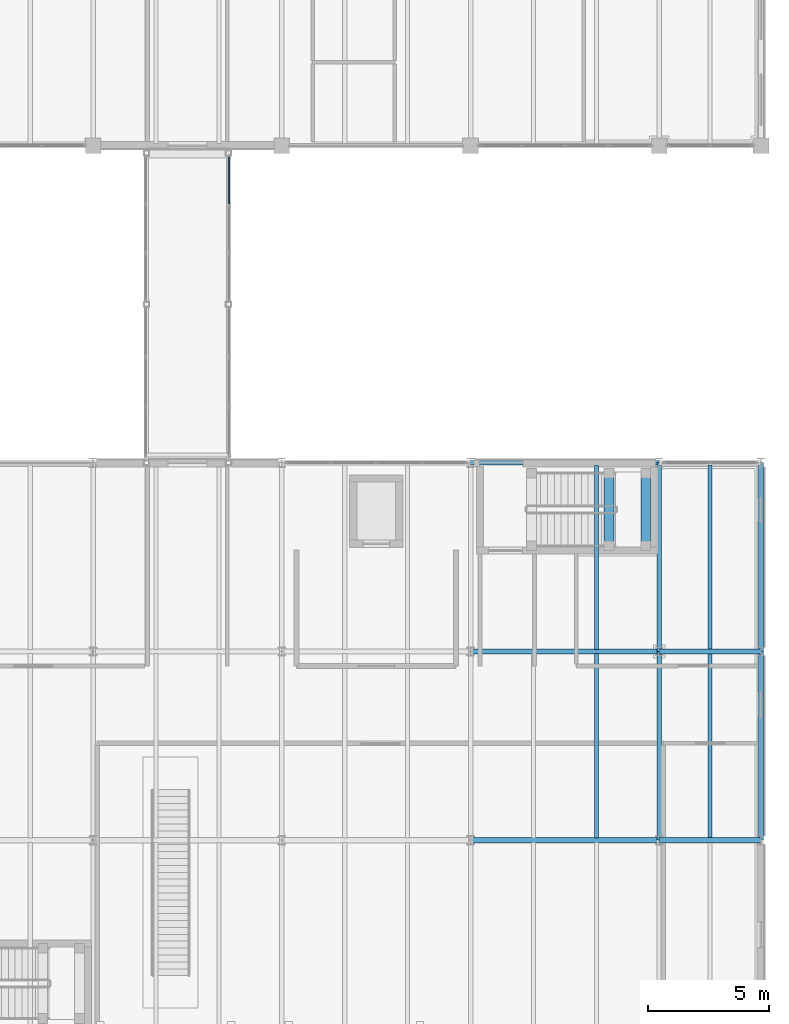
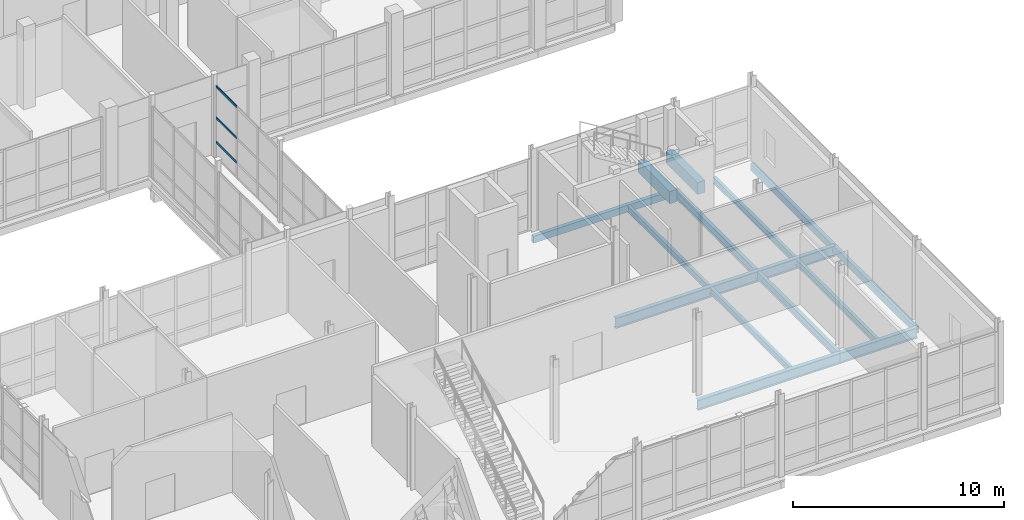
# One storey, part 65 of 131: 15 beams, 3 members, 1 element without a shape of its own.
"""IFC4 building model written with IfcOpenShell, lengths in metres."""

import ifcopenshell
import ifcopenshell.guid

model = None  # the IFC model being written
_history = None  # IfcOwnerHistory: only IFC2X3 demands one
_inside = {}  # id of a spatial element -> (the spatial element, [elements in it])
_under = {}  # id of a project, library or spatial element -> (it, [spatial elements below it])
_declared = {}  # id of a project -> (the project, [libraries it declares])
_typed = {}  # id of a type object -> (the type object, [elements of that type])
_made_of = {}  # id of a material, layer set ... -> (it, [elements and type objects made of it])


def new_model(schema):
    """Start an empty IFC model of exactly this schema.

    Asked for "IFC4X3", IfcOpenShell would pick the latest addendum, in which some entities
    have other attributes; the version numbers below select the first issue.
    IFC2X3 requires an IfcOwnerHistory on every rooted entity: one is made here for all.
    """
    global model, _history
    if schema == "IFC4X3":
        model = ifcopenshell.file(schema_version=(4, 3, 0, 0))
    else:
        model = ifcopenshell.file(schema=schema)
    _inside.clear()
    _under.clear()
    _declared.clear()
    _typed.clear()
    _made_of.clear()
    _history = None
    if model.schema == "IFC2X3":
        org = make("IfcOrganization", Name="unknown")
        user = make(
            "IfcPersonAndOrganization",
            ThePerson=make("IfcPerson", FamilyName="unknown"),
            TheOrganization=org,
        )
        app = make(
            "IfcApplication",
            ApplicationDeveloper=org,
            Version="unknown",
            ApplicationFullName="unknown",
            ApplicationIdentifier="unknown",
        )
        _history = make(
            "IfcOwnerHistory",
            OwningUser=user,
            OwningApplication=app,
            ChangeAction="ADDED",
            CreationDate=0,
        )
    return model


def make(cls, **values):
    """One entity of the class cls with the attributes given. An attribute that is None is left unset."""
    return model.create_entity(
        cls, **{name: value for name, value in values.items() if value is not None}
    )


def rooted(cls, **values):
    """An entity with a GlobalId (a new one), such as an element, a storey or a relation."""
    return make(cls, GlobalId=ifcopenshell.guid.new(), OwnerHistory=_history, **values)


def si_unit(unit_type, name, prefix=None):
    """IfcSIUnit, for example si_unit("LENGTHUNIT", "METRE", prefix="MILLI")."""
    return make("IfcSIUnit", UnitType=unit_type, Prefix=prefix, Name=name)


def assignment(units):
    """IfcUnitAssignment: the units of a project."""
    return None if units is None else make("IfcUnitAssignment", Units=units)


def point(xyz):
    """IfcCartesianPoint."""
    return None if xyz is None else make("IfcCartesianPoint", Coordinates=xyz)


def direction(xyz):
    """IfcDirection."""
    return None if xyz is None else make("IfcDirection", DirectionRatios=xyz)


def frame(location, z_axis=None, x_axis=None):
    """IfcAxis2Placement3D, a coordinate frame: its origin and axes. An axis left out is left unset."""
    return make(
        "IfcAxis2Placement3D",
        Location=point(location),
        Axis=direction(z_axis),
        RefDirection=direction(x_axis),
    )


def frame_2d(location, x_axis=None):
    """IfcAxis2Placement2D, a coordinate frame in the plane: its origin and x axis."""
    return make(
        "IfcAxis2Placement2D", Location=point(location), RefDirection=direction(x_axis)
    )


def origin():
    """The frame at (0, 0, 0) with its axes left unset."""
    return frame((0.0, 0.0, 0.0))


def origin_2d():
    """The frame at (0, 0) in the plane with its x axis left unset."""
    return frame_2d((0.0, 0.0))


def place(relative_to, where):
    """IfcLocalPlacement: puts the frame where relative to a parent placement (None: the world)."""
    return make(
        "IfcLocalPlacement", PlacementRelTo=relative_to, RelativePlacement=where
    )


def context(
    kind, dimensions, precision=None, world=None, true_north=None, identifier=None
):
    """IfcGeometricRepresentationContext, for example the 3D "Model" context."""
    return make(
        "IfcGeometricRepresentationContext",
        ContextIdentifier=identifier,
        ContextType=kind,
        CoordinateSpaceDimension=dimensions,
        Precision=precision,
        WorldCoordinateSystem=world,
        TrueNorth=true_north,
    )


def subcontext(parent, identifier, kind, view, scale=None):
    """IfcGeometricRepresentationSubContext, for example "Body" below "Model"."""
    return make(
        "IfcGeometricRepresentationSubContext",
        ContextIdentifier=identifier,
        ContextType=kind,
        ParentContext=parent,
        TargetScale=scale,
        TargetView=view,
    )


def project(units=None, contexts=None):
    """IfcProject with its units and contexts."""
    return rooted(
        "IfcProject",
        Name="project",
        RepresentationContexts=contexts,
        UnitsInContext=assignment(units),
    )


def spatial(cls, under=None, at=None, **own):
    """A site, building, storey or space (cls), placed at a placement, below another one or the project."""
    s = rooted(cls, ObjectPlacement=at, **own)
    if under is not None:
        _under.setdefault(under.id(), (under, []))[1].append(s)
    return s


def profile(cls, at=None, kind="AREA", **sizes):
    """A parametric profile (cls). Its sizes go by their IFC names, for example OverallWidth=200.0."""
    return make(cls, ProfileType=kind, Position=at, **sizes)


def rectangle(**sizes):
    """IfcRectangleProfileDef."""
    return profile("IfcRectangleProfileDef", **sizes)


def hollow_rectangle(**sizes):
    """IfcRectangleHollowProfileDef."""
    return profile("IfcRectangleHollowProfileDef", **sizes)


def i_section(**sizes):
    """IfcIShapeProfileDef."""
    return profile("IfcIShapeProfileDef", **sizes)


def extrude(swept, where, along, depth):
    """IfcExtrudedAreaSolid: the profile swept, set in the frame where, extruded along a direction by depth."""
    return make(
        "IfcExtrudedAreaSolid",
        SweptArea=swept,
        Position=where,
        ExtrudedDirection=direction(along),
        Depth=depth,
    )


def shape(context_of_items, identifier, shape_type, items):
    """IfcShapeRepresentation: the items that make up one representation, for example the "Body"."""
    return make(
        "IfcShapeRepresentation",
        ContextOfItems=context_of_items,
        RepresentationIdentifier=identifier,
        RepresentationType=shape_type,
        Items=items,
    )


def material(Name=None, Category=None):
    """IfcMaterial."""
    return make("IfcMaterial", Name=Name, Category=Category)


def layer(
    of_material, thickness, ventilated=None, Name=None, Category=None, Priority=None
):
    """IfcMaterialLayer: one layer of a wall or slab, of a material (None: an air gap)."""
    return make(
        "IfcMaterialLayer",
        Material=of_material,
        LayerThickness=thickness,
        IsVentilated=ventilated,
        Name=Name,
        Category=Category,
        Priority=Priority,
    )


def layer_set(layers, Name=None):
    """IfcMaterialLayerSet."""
    return make("IfcMaterialLayerSet", MaterialLayers=layers, LayerSetName=Name)


def material_profile(
    of_material, cross_section, Name=None, Category=None, Priority=None
):
    """IfcMaterialProfile: a cross section and its material."""
    return make(
        "IfcMaterialProfile",
        Name=Name,
        Material=of_material,
        Profile=cross_section,
        Priority=Priority,
        Category=Category,
    )


def profile_set(profiles, Name=None, composite=None):
    """IfcMaterialProfileSet."""
    return make(
        "IfcMaterialProfileSet",
        Name=Name,
        MaterialProfiles=profiles,
        CompositeProfile=composite,
    )


def made_of(thing, what):
    """Note that an element or type object is made of a material, layer set ...; save() writes the relation."""
    if what is not None:
        _made_of.setdefault(what.id(), (what, []))[1].append(thing)
    return thing


def type_object(cls, material=None, **own):
    """A type object (cls), such as IfcWallType, which elements share."""
    return made_of(rooted(cls, **own), material)


def element(
    cls,
    number,
    at=None,
    inside=None,
    cuts=None,
    type_object=None,
    material=None,
    context=None,
    identifier="Body",
    shape_type=None,
    held_by="IfcProductDefinitionShape",
    body=None,
    shapes=None,
    **own,
):
    """One element of the class cls, such as IfcWall. Its Tag is "e" and its number.

    at: its placement. inside: the storey or other place that contains it. cuts: it is an
    opening in that element (IfcRelVoidsElement). A single representation is given by context,
    identifier, shape_type and body (its items); several are given by shapes. held_by: the class
    of the entity that holds the representations. save() writes the other relations.
    """
    e = rooted(cls, Tag="e%d" % number, ObjectPlacement=at, **own)
    if body is not None:
        shapes = [shape(context, identifier, shape_type, body)]
    if shapes is not None:
        e.Representation = make(held_by, Representations=shapes)
    if inside is not None:
        _inside.setdefault(inside.id(), (inside, []))[1].append(e)
    if cuts is not None:
        rooted(
            "IfcRelVoidsElement", RelatingBuildingElement=cuts, RelatedOpeningElement=e
        )
    if type_object is not None:
        _typed.setdefault(type_object.id(), (type_object, []))[1].append(e)
    return made_of(e, material)


def aggregate(whole, parts):
    """IfcRelAggregates: a whole, such as a stair, and the parts it consists of."""
    return rooted("IfcRelAggregates", RelatingObject=whole, RelatedObjects=parts)


def save(model, path):
    """Write the relations noted so far, then the file.

    IfcRelAggregates (storeys below a building ...), IfcRelContainedInSpatialStructure (elements
    in a storey), IfcRelDefinesByType, IfcRelAssociatesMaterial and IfcRelDeclares: one each for
    every whole, place, type object, material and project.
    """
    for whole, parts in _under.values():
        aggregate(whole, parts)
    for where, things in _inside.values():
        rooted(
            "IfcRelContainedInSpatialStructure",
            RelatedElements=things,
            RelatingStructure=where,
        )
    for kind, things in _typed.values():
        rooted("IfcRelDefinesByType", RelatedObjects=things, RelatingType=kind)
    for what, things in _made_of.values():
        rooted("IfcRelAssociatesMaterial", RelatedObjects=things, RelatingMaterial=what)
    for by, libraries in _declared.values():
        rooted("IfcRelDeclares", RelatingContext=by, RelatedDefinitions=libraries)
    model.write(path)


model = new_model("IFC4")

# Units and contexts
model_context = context("Model", 3, precision=1e-05, world=origin(), true_north=direction((0.0, 1.0)))
body_context = subcontext(model_context, "Body", "Model", "MODEL_VIEW")
ifc_project = project(units=[si_unit("LENGTHUNIT", "METRE"), si_unit("AREAUNIT", "SQUARE_METRE"), si_unit("VOLUMEUNIT", "CUBIC_METRE"), si_unit("PLANEANGLEUNIT", "RADIAN"), si_unit("MASSUNIT", "GRAM", prefix="KILO")], contexts=[model_context])

# Site, building, storey
site_placement = place(None, origin())
site = spatial("IfcSite", under=ifc_project, at=site_placement, CompositionType="ELEMENT")
building_placement = place(site_placement, origin())
building = spatial("IfcBuilding", under=site, at=building_placement, Name="Celorna Specialist Clinic", CompositionType="ELEMENT")
storey_placement = place(building_placement, origin())
storey = spatial("IfcBuildingStorey", under=building, at=storey_placement, Name="L00", CompositionType="ELEMENT", Elevation=0.0)

# Beams
ifc_material_1 = material(Name="Steel S355", Category="steel")
ifc_material_profile_1 = material_profile(ifc_material_1, i_section(OverallWidth=0.219970703125, OverallDepth=0.60009765625, WebThickness=0.011962890625, FlangeThickness=0.01904296875, at=origin_2d()), Name="IPE 600")
ifc_profile_set_1 = profile_set([ifc_material_profile_1], Name="Steel S355")
beam_type_1 = type_object("IfcBeamType", Name="BM-06", PredefinedType="BEAM", material=ifc_profile_set_1)
beam_1_placement = place(storey_placement, frame((156.0, 67.800048828125, -0.639892578125), z_axis=(1.0, 0.0, 0.0), x_axis=(0.0, 1.0, 0.0)))
element("IfcBeam", 1, at=beam_1_placement, inside=storey, type_object=beam_type_1, Name="Primary girder BM-06 #544", PredefinedType="BEAM", context=body_context, shape_type="SweptSolid", body=[
    extrude(i_section(OverallWidth=0.219970703125, OverallDepth=0.60009765625, WebThickness=0.011962890625, FlangeThickness=0.01904296875, at=origin_2d()), origin(), (0.0, 0.0, 1.0), 7.800048828125),
])
beam_2_placement = place(storey_placement, frame((163.800048828125, 67.800048828125, -0.639892578125), z_axis=(1.0, 0.0, 0.0), x_axis=(0.0, 1.0, 0.0)))
element("IfcBeam", 2, at=beam_2_placement, inside=storey, type_object=beam_type_1, Name="Primary girder BM-06 #545", PredefinedType="BEAM", context=body_context, shape_type="SweptSolid", body=[
    extrude(i_section(OverallWidth=0.219970703125, OverallDepth=0.60009765625, WebThickness=0.011962890625, FlangeThickness=0.01904296875, at=origin_2d()), origin(), (0.0, 0.0, 1.0), 4.199951171875),
])
beam_3_placement = place(storey_placement, frame((156.0, 75.60009765625, -0.639892578125), z_axis=(1.0, 0.0, 0.0), x_axis=(0.0, 1.0, 0.0)))
element("IfcBeam", 3, at=beam_3_placement, inside=storey, type_object=beam_type_1, Name="Primary girder BM-06 #550", PredefinedType="BEAM", context=body_context, shape_type="SweptSolid", body=[
    extrude(i_section(OverallWidth=0.219970703125, OverallDepth=0.60009765625, WebThickness=0.011962890625, FlangeThickness=0.01904296875, at=origin_2d()), origin(), (0.0, 0.0, 1.0), 7.800048828125),
])
beam_4_placement = place(storey_placement, frame((163.800048828125, 75.60009765625, -0.639892578125), z_axis=(1.0, 0.0, 0.0), x_axis=(0.0, 1.0, 0.0)))
element("IfcBeam", 4, at=beam_4_placement, inside=storey, type_object=beam_type_1, Name="Primary girder BM-06 #551", PredefinedType="BEAM", context=body_context, shape_type="SweptSolid", body=[
    extrude(i_section(OverallWidth=0.219970703125, OverallDepth=0.60009765625, WebThickness=0.011962890625, FlangeThickness=0.01904296875, at=origin_2d()), origin(), (0.0, 0.0, 1.0), 4.199951171875),
])
ifc_material_profile_2 = material_profile(ifc_material_1, i_section(OverallWidth=0.18994140625, OverallDepth=0.449951171875, WebThickness=0.009521484375, FlangeThickness=0.0146484375, at=origin_2d()), Name="IPE 450")
ifc_profile_set_2 = profile_set([ifc_material_profile_2], Name="Steel S355")
beam_type_2 = type_object("IfcBeamType", Name="BM-09", PredefinedType="BEAM", material=ifc_profile_set_2)
beam_5_placement = place(storey_placement, frame((163.800048828125, 67.800048828125, -0.56494140625), z_axis=(0.0, 1.0, 0.0), x_axis=(-1.0, 0.0, 0.0)))
element("IfcBeam", 5, at=beam_5_placement, inside=storey, type_object=beam_type_2, Name="Transverse girder BM-09 #574", PredefinedType="BEAM", context=body_context, shape_type="SweptSolid", body=[
    extrude(i_section(OverallWidth=0.18994140625, OverallDepth=0.449951171875, WebThickness=0.009521484375, FlangeThickness=0.0146484375, at=origin_2d()), origin(), (0.0, 0.0, 1.0), 7.800048828125),
])
beam_6_placement = place(storey_placement, frame((163.800048828125, 75.60009765625, -0.56494140625), z_axis=(0.0, 1.0, 0.0), x_axis=(-1.0, 0.0, 0.0)))
element("IfcBeam", 6, at=beam_6_placement, inside=storey, type_object=beam_type_2, Name="Transverse girder BM-09 #575", PredefinedType="BEAM", context=body_context, shape_type="SweptSolid", body=[
    extrude(i_section(OverallWidth=0.18994140625, OverallDepth=0.449951171875, WebThickness=0.009521484375, FlangeThickness=0.0146484375, at=origin_2d()), origin(), (0.0, 0.0, 1.0), 7.7998046875),
])
ifc_material_profile_3 = material_profile(ifc_material_1, i_section(OverallWidth=0.169921875, OverallDepth=0.360107421875, WebThickness=0.008056640625, FlangeThickness=0.0126953125, at=origin_2d()), Name="IPE 360")
ifc_profile_set_3 = profile_set([ifc_material_profile_3], Name="Steel S355")
beam_type_3 = type_object("IfcBeamType", Name="BM-11", PredefinedType="JOIST", material=ifc_profile_set_3)
for number, where, z_axis, x_axis, name in (
    (7, (161.199951171875, 67.887939453125, -0.52001953125), (0.0, 1.0, 0.0), (-1.0, 0.0, 0.0), "Secondary floor joist BM-11 #605"),
    (8, (161.199951171875, 75.68798828125, -0.52001953125), (0.0, 1.0, 0.0), (-1.0, 0.0, 0.0), "Secondary floor joist BM-11 #606"),
    (9, (165.89990234375, 67.887939453125, -0.52001953125), (0.0, 1.0, 0.0), (-1.0, 0.0, 0.0), "Secondary floor joist BM-11 #608"),
    (10, (165.89990234375, 75.68798828125, -0.52001953125), (0.0, 1.0, 0.0), (-1.0, 0.0, 0.0), "Secondary floor joist BM-11 #609"),
):
    element("IfcBeam", number, at=place(storey_placement, frame(where, z_axis=z_axis, x_axis=x_axis)), inside=storey, type_object=beam_type_3, Name=name, PredefinedType="JOIST", context=body_context, shape_type="SweptSolid", body=[
        extrude(i_section(OverallWidth=0.169921875, OverallDepth=0.360107421875, WebThickness=0.008056640625, FlangeThickness=0.0126953125, at=origin_2d()), origin(), (0.0, 0.0, 1.0), 7.6240234375),
    ])
ifc_material_profile_4 = material_profile(ifc_material_1, hollow_rectangle(XDim=0.199951171875, YDim=0.39990234375, WallThickness=0.011962890625, at=origin_2d()), Name="RHS 200x400x12")
ifc_profile_set_4 = profile_set([ifc_material_profile_4], Name="Steel S355")
beam_type_4 = type_object("IfcBeamType", Name="BM-15", PredefinedType="SPANDREL", material=ifc_profile_set_4)
for number, where, z_axis, x_axis, name in (
    (11, (156.0, 83.39990234375, -0.5400390625), (1.0, 0.0, 0.0), (0.0, 1.0, 0.0), "Spandrel beam BM-15 #556"),
    (12, (168.0, 67.800048828125, -0.5400390625), (0.0, 1.0, 0.0), (-1.0, 0.0, 0.0), "Spandrel beam BM-15 #577"),
):
    element("IfcBeam", number, at=place(storey_placement, frame(where, z_axis=z_axis, x_axis=x_axis)), inside=storey, type_object=beam_type_4, Name=name, PredefinedType="SPANDREL", context=body_context, shape_type="SweptSolid", body=[
        extrude(hollow_rectangle(XDim=0.199951171875, YDim=0.39990234375, WallThickness=0.011962890625, at=origin_2d()), origin(), (0.0, 0.0, 1.0), 7.800048828125),
    ])
beam_7_placement = place(storey_placement, frame((168.0, 75.60009765625, -0.5400390625), z_axis=(0.0, 1.0, 0.0), x_axis=(-1.0, 0.0, 0.0)))
element("IfcBeam", 13, at=beam_7_placement, inside=storey, type_object=beam_type_4, Name="Spandrel beam BM-15 #578", PredefinedType="SPANDREL", context=body_context, shape_type="SweptSolid", body=[
    extrude(hollow_rectangle(XDim=0.199951171875, YDim=0.39990234375, WallThickness=0.011962890625, at=origin_2d()), origin(), (0.0, 0.0, 1.0), 7.7998046875),
])
ifc_material_2 = material(Name="Concrete C35/45", Category="concrete")
ifc_material_profile_5 = material_profile(ifc_material_2, rectangle(XDim=0.39990234375, YDim=0.699951171875, at=origin_2d()), Name="RC 400x700")
ifc_profile_set_5 = profile_set([ifc_material_profile_5], Name="Concrete C35/45")
beam_type_5 = type_object("IfcBeamType", Name="BM-19", PredefinedType="BEAM", material=ifc_profile_set_5)
for number, where, z_axis, x_axis, name in (
    (14, (161.719970703125, 79.969970703125, 1.97509765625), (0.0, 1.0, 0.0), (-1.0, 0.0, 0.0), "Stair ST-12 half-landing beam L00"),
    (15, (163.239990234375, 79.969970703125, 1.97509765625), (0.0, 1.0, 0.0), (-1.0, 0.0, 0.0), "Stair ST-12 half-landing beam L00"),
):
    element("IfcBeam", number, at=place(storey_placement, frame(where, z_axis=z_axis, x_axis=x_axis)), inside=storey, type_object=beam_type_5, Name=name, PredefinedType="BEAM", context=body_context, shape_type="SweptSolid", body=[
        extrude(rectangle(XDim=0.39990234375, YDim=0.699951171875, at=origin_2d()), origin(), (0.0, 0.0, 1.0), 3.0),
    ])

# Curtain wall, members
ifc_material_3 = material(Name="Thermally broken aluminium and solar-control glass curtain wall", Category="aluminium")
ifc_layer = layer(ifc_material_3, 0.159912109375, Name="Thermally broken aluminium and solar-control glass curtain wall")
ifc_layer_set = layer_set([ifc_layer], Name="Thermally broken aluminium and solar-control glass curtain wall")
curtain_wall_type = type_object("IfcCurtainWallType", Name="CW-117", PredefinedType="NOTDEFINED", material=ifc_layer_set)
curtain_wall_placement = place(storey_placement, origin())
curtain_wall = element("IfcCurtainWall", 16, at=curtain_wall_placement, inside=storey, type_object=curtain_wall_type, Name="Curtain wall CW-117 #218", PredefinedType="NOTDEFINED")
ifc_material_4 = material(Name="Anodized aluminium transom", Category="aluminium")
ifc_material_profile_6 = material_profile(ifc_material_4, rectangle(XDim=0.050048828125, YDim=0.1298828125, at=origin_2d()), Name="ALU TRANSOM 50x130")
ifc_profile_set_6 = profile_set([ifc_material_profile_6], Name="Anodized aluminium transom")
member_type = type_object("IfcMemberType", Name="TR-01", PredefinedType="USERDEFINED", material=ifc_profile_set_6)
member_1_placement = place(storey_placement, frame((146.02001953125, 96.030029296875, 0.89990234375), z_axis=(0.0, -1.0, 0.0), x_axis=(1.0, 0.0, 0.0)))
member_1 = element("IfcMember", 17, at=member_1_placement, type_object=member_type, Name="CW-117 transom 1.2", ObjectType="TRANSOM", PredefinedType="USERDEFINED", context=body_context, shape_type="SweptSolid", body=[
    extrude(rectangle(XDim=0.050048828125, YDim=0.1298828125, at=origin_2d()), origin(), (0.0, 0.0, 1.0), 1.928466796875),
])
member_2_placement = place(storey_placement, frame((146.02001953125, 96.030029296875, 2.300048828125), z_axis=(0.0, -1.0, 0.0), x_axis=(1.0, 0.0, 0.0)))
member_2 = element("IfcMember", 18, at=member_2_placement, type_object=member_type, Name="CW-117 transom 1.3", ObjectType="TRANSOM", PredefinedType="USERDEFINED", context=body_context, shape_type="SweptSolid", body=[
    extrude(rectangle(XDim=0.050048828125, YDim=0.1298828125, at=origin_2d()), origin(), (0.0, 0.0, 1.0), 1.928466796875),
])
member_3_placement = place(storey_placement, frame((146.02001953125, 96.030029296875, 4.10498046875), z_axis=(0.0, -1.0, 0.0), x_axis=(1.0, 0.0, 0.0)))
member_3 = element("IfcMember", 19, at=member_3_placement, type_object=member_type, Name="CW-117 transom 1.4", ObjectType="TRANSOM", PredefinedType="USERDEFINED", context=body_context, shape_type="SweptSolid", body=[
    extrude(rectangle(XDim=0.050048828125, YDim=0.1298828125, at=origin_2d()), origin(), (0.0, 0.0, 1.0), 1.928466796875),
])
aggregate(curtain_wall, [member_1, member_2, member_3])

save(model, "model.ifc")
